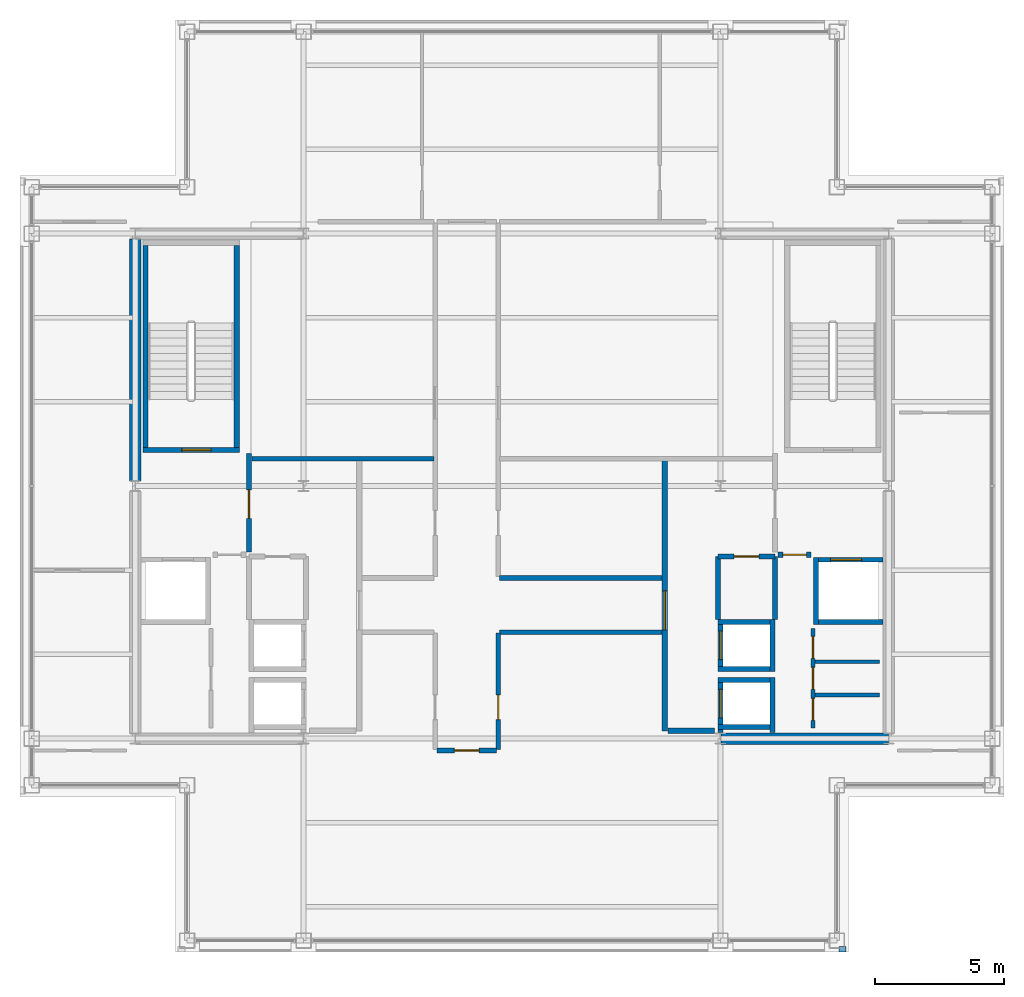
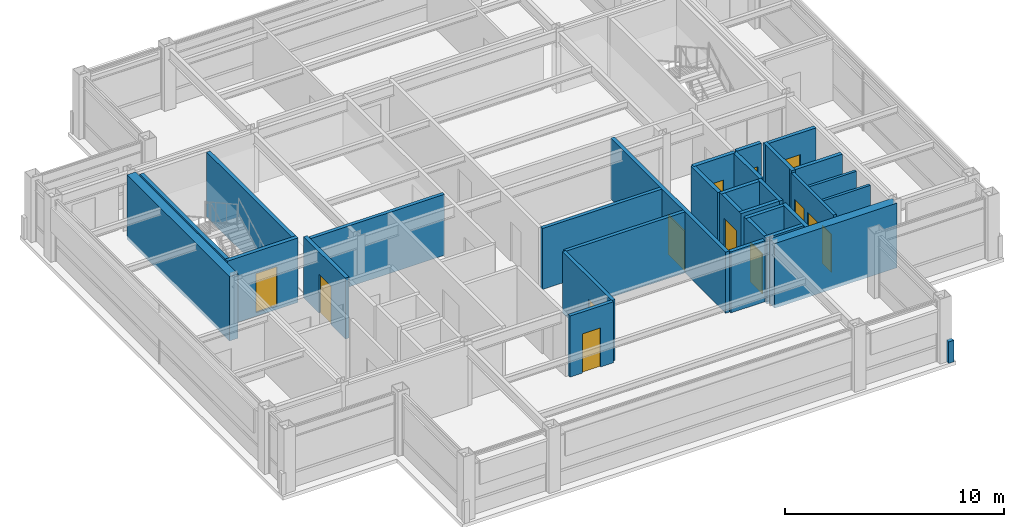
# One storey, part 19 of 22: 32 walls, 13 doors, 13 openings.
"""IFC4 building model written with IfcOpenShell, lengths in metres."""

from ifc_helpers import new_model, si_unit, direction, frame, frame_2d, origin, place, context, subcontext, project, spatial, rectangle, extrude, material, layer, layer_set, type_object, element, fill, save


model = new_model("IFC4")

# Units and contexts
model_context = context("Model", 3, precision=1e-05, world=origin(), true_north=direction((0.0, 1.0)))
body_context = subcontext(model_context, "Body", "Model", "MODEL_VIEW")
ifc_project = project(units=[si_unit("LENGTHUNIT", "METRE"), si_unit("AREAUNIT", "SQUARE_METRE"), si_unit("VOLUMEUNIT", "CUBIC_METRE"), si_unit("PLANEANGLEUNIT", "RADIAN"), si_unit("MASSUNIT", "GRAM", prefix="KILO")], contexts=[model_context])

# Site, building, storey
site_placement = place(None, origin())
site = spatial("IfcSite", under=ifc_project, at=site_placement, CompositionType="ELEMENT")
building_placement = place(site_placement, origin())
building = spatial("IfcBuilding", under=site, at=building_placement, Name="Brelmoor Portico Tower", CompositionType="ELEMENT")
storey_placement = place(building_placement, frame((0.0, 0.0, 280.800048828125)))
storey = spatial("IfcBuildingStorey", under=building, at=storey_placement, Name="L74", CompositionType="ELEMENT", Elevation=280.800048828125)

# Walls
ifc_material_1 = material(Name="Concrete C50", Category="concrete")
ifc_layer_1 = layer(ifc_material_1, 0.449951171875)
ifc_layer_set_1 = layer_set([ifc_layer_1], Name="Concrete C50")
wall_type_1 = type_object("IfcWallType", Name="WL-CORE-450", PredefinedType="SHEAR", material=ifc_layer_set_1)
wall_1_placement = place(storey_placement, frame((-14.550048828125, 0.199951171875, -0.199951171875), z_axis=(0.0, 0.0, 1.0), x_axis=(0.0, 1.0, 0.0)))
element("IfcWall", 1, at=wall_1_placement, inside=storey, type_object=wall_type_1, Name="L74 WC Outer North Shear Wall", PredefinedType="SHEAR", context=body_context, shape_type="SweptSolid", body=[
    extrude(rectangle(XDim=9.35009765625, YDim=0.449951171875, at=frame_2d((4.675048828125, 0.0))), origin(), (0.0, 0.0, 1.0), 3.599853515625),
])
wall_2_placement = place(storey_placement, frame((8.070068359375, -9.75, -0.199951171875), z_axis=(0.0, 0.0, 1.0), x_axis=(1.0, 0.0, 0.0)))
element("IfcWall", 2, at=wall_2_placement, inside=storey, type_object=wall_type_1, Name="L74 EC South Shear Wall", PredefinedType="SHEAR", context=body_context, shape_type="SweptSolid", body=[
    extrude(rectangle(XDim=6.4599609375, YDim=0.449951171875, at=frame_2d((3.22998046875, 0.0))), origin(), (0.0, 0.0, 1.0), 3.599853515625),
])
ifc_material_2 = material(Name="Concrete C40 Parapet Upstand", Category="concrete")
ifc_layer_2 = layer(ifc_material_2, 0.219970703125)
ifc_layer_set_2 = layer_set([ifc_layer_2], Name="Concrete C40 Parapet Upstand")
wall_type_2 = type_object("IfcWallType", Name="WL-PARAPET-220", PredefinedType="PARAPET", material=ifc_layer_set_2)
wall_3_placement = place(storey_placement, frame((12.6201171875, -17.889892578125, 0.0), z_axis=(0.0, 0.0, 1.0), x_axis=(1.0, 0.0, 0.0)))
element("IfcWall", 3, at=wall_3_placement, inside=storey, type_object=wall_type_2, Name="L74 Chamfer Vertex Parapet Pier SE1", PredefinedType="PARAPET", context=body_context, shape_type="SweptSolid", body=[
    extrude(rectangle(XDim=0.269775390625, YDim=0.219970703125, at=frame_2d((0.134765625, 0.0))), origin(), (0.0, 0.0, 1.0), 1.199951171875),
])
ifc_material_3 = material(Name="Insulated Stud Suite Partition", Category="gypsum")
ifc_layer_3 = layer(ifc_material_3, 0.139892578125)
ifc_layer_set_3 = layer_set([ifc_layer_3], Name="Insulated Stud Suite Partition")
wall_type_3 = type_object("IfcWallType", Name="WL-PART-140", PredefinedType="PARTITIONING", material=ifc_layer_set_3)
for number, where, z_axis, x_axis, name in (
    (4, (11.699951171875, -8.066650390625, 0.0), (0.0, 0.0, 1.0), (1.0, 0.0, 0.0), "L74 E Core WC Divider 1"),
    (5, (11.699951171875, -6.783203125, 0.0), (0.0, 0.0, 1.0), (1.0, 0.0, 0.0), "L74 E Core WC Divider 2"),
):
    element("IfcWall", number, at=place(storey_placement, frame(where, z_axis=z_axis, x_axis=x_axis)), inside=storey, type_object=wall_type_3, Name=name, PredefinedType="PARTITIONING", context=body_context, shape_type="SweptSolid", body=[
        extrude(rectangle(XDim=2.5, YDim=0.139892578125, at=frame_2d((1.25, 0.0))), origin(), (0.0, 0.0, 1.0), 3.39990234375),
    ])

# Wall, openings, doors
ifc_material_4 = material(Name="Twin-Frame Acoustic Partition", Category="gypsum")
ifc_layer_4 = layer(ifc_material_4, 0.159912109375)
ifc_layer_set_4 = layer_set([ifc_layer_4], Name="Twin-Frame Acoustic Partition")
wall_type_4 = type_object("IfcWallType", Name="WL-PART-160", PredefinedType="PARTITIONING", material=ifc_layer_set_4)
wall_4_placement = place(storey_placement, frame((11.6201171875, -9.35009765625, 0.0), z_axis=(0.0, 0.0, 1.0), x_axis=(0.0, 1.0, 0.0)))
wall_4 = element("IfcWall", 6, at=wall_4_placement, inside=storey, type_object=wall_type_4, Name="L74 E Core Service Front Wall", PredefinedType="PARTITIONING", context=body_context, shape_type="SweptSolid", body=[
    extrude(rectangle(XDim=3.85009765625, YDim=0.159912109375, at=frame_2d((1.925048828125, 0.0))), origin(), (0.0, 0.0, 1.0), 3.39990234375),
])
opening_1_placement = place(wall_4_placement, frame((0.300048828125, 0.0, 0.0)))
opening_1 = element("IfcOpeningElement", 7, at=opening_1_placement, cuts=wall_4, Name="Opening D-WC1", PredefinedType="OPENING", context=body_context, shape_type="SweptSolid", body=[
    extrude(rectangle(XDim=0.85009765625, YDim=2.1201171875, at=frame_2d((0.425048828125, 1.06005859375))), frame((0.0, 0.08984375, 0.0), z_axis=(0.0, -1.0, 0.0), x_axis=(1.0, 0.0, 0.0)), (0.0, 0.0, 1.0), 0.179931640625),
])
opening_2_placement = place(wall_4_placement, frame((1.5, 0.0, 0.0)))
opening_2 = element("IfcOpeningElement", 8, at=opening_2_placement, cuts=wall_4, Name="Opening D-WC1", PredefinedType="OPENING", context=body_context, shape_type="SweptSolid", body=[
    extrude(rectangle(XDim=0.85009765625, YDim=2.1201171875, at=frame_2d((0.425048828125, 1.06005859375))), frame((0.0, 0.08984375, 0.0), z_axis=(0.0, -1.0, 0.0), x_axis=(1.0, 0.0, 0.0)), (0.0, 0.0, 1.0), 0.179931640625),
])
opening_3_placement = place(wall_4_placement, frame((2.699951171875, 0.0, 0.0)))
opening_3 = element("IfcOpeningElement", 9, at=opening_3_placement, cuts=wall_4, Name="Opening D-WC1", PredefinedType="OPENING", context=body_context, shape_type="SweptSolid", body=[
    extrude(rectangle(XDim=0.85009765625, YDim=2.1201171875, at=frame_2d((0.425048828125, 1.06005859375))), frame((0.0, 0.08984375, 0.0), z_axis=(0.0, -1.0, 0.0), x_axis=(1.0, 0.0, 0.0)), (0.0, 0.0, 1.0), 0.179931640625),
])
ifc_material_5 = material(Name="Moisture-Resistant Laminate WC Door", Category="timber")
door_type_1 = type_object("IfcDoorType", Name="DR-WC-850", OperationType="NOTDEFINED", PredefinedType="DOOR", material=ifc_material_5)
door_1_placement = place(opening_1_placement, origin())
door_1 = element("IfcDoor", 10, at=door_1_placement, inside=storey, type_object=door_type_1, Name="D-3009 L74 E Male WC Door", OperationType="SINGLE_SWING_LEFT", OverallHeight=2.1201171875, OverallWidth=0.85009765625, PredefinedType="DOOR", context=body_context, shape_type="SweptSolid", body=[
    extrude(rectangle(XDim=0.85009765625, YDim=2.1201171875, at=frame_2d((0.425048828125, 1.06005859375))), frame((0.0, 0.02490234375, 0.0), z_axis=(0.0, -1.0, 0.0), x_axis=(1.0, 0.0, 0.0)), (0.0, 0.0, 1.0), 0.050048828125),
])
fill(opening_1, door_1)
door_2_placement = place(opening_2_placement, origin())
door_2 = element("IfcDoor", 11, at=door_2_placement, inside=storey, type_object=door_type_1, Name="D-3010 L74 E Female WC Door", OperationType="SINGLE_SWING_RIGHT", OverallHeight=2.1201171875, OverallWidth=0.85009765625, PredefinedType="DOOR", context=body_context, shape_type="SweptSolid", body=[
    extrude(rectangle(XDim=0.85009765625, YDim=2.1201171875, at=frame_2d((0.425048828125, 1.06005859375))), frame((0.0, 0.02490234375, 0.0), z_axis=(0.0, -1.0, 0.0), x_axis=(1.0, 0.0, 0.0)), (0.0, 0.0, 1.0), 0.050048828125),
])
fill(opening_2, door_2)
door_3_placement = place(opening_3_placement, origin())
door_3 = element("IfcDoor", 12, at=door_3_placement, inside=storey, type_object=door_type_1, Name="D-3011 L74 E Janitor Store Door", OperationType="SINGLE_SWING_LEFT", OverallHeight=2.1201171875, OverallWidth=0.85009765625, PredefinedType="DOOR", context=body_context, shape_type="SweptSolid", body=[
    extrude(rectangle(XDim=0.85009765625, YDim=2.1201171875, at=frame_2d((0.425048828125, 1.06005859375))), frame((0.0, 0.02490234375, 0.0), z_axis=(0.0, -1.0, 0.0), x_axis=(1.0, 0.0, 0.0)), (0.0, 0.0, 1.0), 0.050048828125),
])
fill(opening_3, door_3)

# Walls
ifc_material_6 = material(Name="Acoustic Corridor Fire Partition", Category="gypsum")
ifc_layer_5 = layer(ifc_material_6, 0.179931640625)
ifc_layer_set_5 = layer_set([ifc_layer_5], Name="Acoustic Corridor Fire Partition")
wall_type_5 = type_object("IfcWallType", Name="WL-PART-180", PredefinedType="PARTITIONING", material=ifc_layer_set_5)
wall_5_placement = place(storey_placement, frame((-10.050048828125, 1.050048828125, 0.0), z_axis=(0.0, 0.0, 1.0), x_axis=(1.0, 0.0, 0.0)))
element("IfcWall", 13, at=wall_5_placement, inside=storey, type_object=wall_type_5, Name="L74 West Reclaimed Suite South Wall", PredefinedType="PARTITIONING", context=body_context, shape_type="SweptSolid", body=[
    extrude(rectangle(XDim=7.0400390625, YDim=0.179931640625, at=frame_2d((3.52001953125, 0.0))), origin(), (0.0, 0.0, 1.0), 3.39990234375),
])
wall_6_placement = place(storey_placement, frame((-0.489990234375, -3.550048828125, 0.0), z_axis=(0.0, 0.0, 1.0), x_axis=(1.0, 0.0, 0.0)))
element("IfcWall", 14, at=wall_6_placement, inside=storey, type_object=wall_type_5, Name="L74 East Office South Wall", PredefinedType="PARTITIONING", context=body_context, shape_type="SweptSolid", body=[
    extrude(rectangle(XDim=6.2900390625, YDim=0.179931640625, at=frame_2d((3.14501953125, 0.0))), origin(), (0.0, 0.0, 1.0), 3.39990234375),
])

# Wall, opening, door
wall_7_placement = place(storey_placement, frame((-0.530029296875, -10.169921875, 0.0), z_axis=(0.0, 0.0, 1.0), x_axis=(0.0, 1.0, 0.0)))
wall_7 = element("IfcWall", 15, at=wall_7_placement, inside=storey, type_object=wall_type_5, Name="L74 South Cross East Wall", PredefinedType="PARTITIONING", context=body_context, shape_type="SweptSolid", body=[
    extrude(rectangle(XDim=4.489990234375, YDim=0.179931640625, at=frame_2d((2.2451171875, 0.0))), origin(), (0.0, 0.0, 1.0), 3.39990234375),
])
opening_4_placement = place(wall_7_placement, frame((1.14990234375, 0.0, 0.0)))
opening_4 = element("IfcOpeningElement", 16, at=opening_4_placement, cuts=wall_7, Name="Opening D-IN2", PredefinedType="OPENING", context=body_context, shape_type="SweptSolid", body=[
    extrude(rectangle(XDim=0.9599609375, YDim=2.179931640625, at=frame_2d((0.47998046875, 1.08984375))), frame((0.0, 0.099853515625, 0.0), z_axis=(0.0, -1.0, 0.0), x_axis=(1.0, 0.0, 0.0)), (0.0, 0.0, 1.0), 0.199951171875),
])
ifc_material_7 = material(Name="Lacquered Timber Suite Door", Category="wood")
door_type_2 = type_object("IfcDoorType", Name="DR-INT-950", OperationType="NOTDEFINED", PredefinedType="DOOR", material=ifc_material_7)
door_4_placement = place(opening_4_placement, origin())
door_4 = element("IfcDoor", 17, at=door_4_placement, inside=storey, type_object=door_type_2, Name="D-3005 L74 South-East Partner Office Door", OperationType="SINGLE_SWING_LEFT", OverallHeight=2.179931640625, OverallWidth=0.9599609375, PredefinedType="DOOR", context=body_context, shape_type="SweptSolid", body=[
    extrude(rectangle(XDim=0.9599609375, YDim=2.179931640625, at=frame_2d((0.47998046875, 1.08984375))), frame((0.0, 0.02490234375, 0.0), z_axis=(0.0, -1.0, 0.0), x_axis=(1.0, 0.0, 0.0)), (0.0, 0.0, 1.0), 0.050048828125),
])
fill(opening_4, door_4)

# Wall
wall_8_placement = place(storey_placement, frame((-0.489990234375, -5.64990234375, 0.0), z_axis=(0.0, 0.0, 1.0), x_axis=(1.0, 0.0, 0.0)))
element("IfcWall", 18, at=wall_8_placement, inside=storey, type_object=wall_type_5, Name="L74 South-East Chamber Top Wall", PredefinedType="PARTITIONING", context=body_context, shape_type="SweptSolid", body=[
    extrude(rectangle(XDim=6.2900390625, YDim=0.179931640625, at=frame_2d((3.14501953125, 0.0))), origin(), (0.0, 0.0, 1.0), 3.39990234375),
])

# Wall, opening, door
wall_9_placement = place(storey_placement, frame((-2.89990234375, -10.2099609375, 0.0), z_axis=(0.0, 0.0, 1.0), x_axis=(1.0, 0.0, 0.0)))
wall_9 = element("IfcWall", 19, at=wall_9_placement, inside=storey, type_object=wall_type_5, Name="L74 South Corridor Partition", PredefinedType="PARTITIONING", context=body_context, shape_type="SweptSolid", body=[
    extrude(rectangle(XDim=2.2998046875, YDim=0.179931640625, at=frame_2d((1.14990234375, 0.0))), origin(), (0.0, 0.0, 1.0), 3.39990234375),
])
opening_5_placement = place(wall_9_placement, frame((0.669921875, 0.0, 0.0)))
opening_5 = element("IfcOpeningElement", 20, at=opening_5_placement, cuts=wall_9, Name="Opening D-IN2", PredefinedType="OPENING", context=body_context, shape_type="SweptSolid", body=[
    extrude(rectangle(XDim=0.9599609375, YDim=2.179931640625, at=frame_2d((0.47998046875, 1.08984375))), frame((0.0, 0.099853515625, 0.0), z_axis=(0.0, -1.0, 0.0), x_axis=(1.0, 0.0, 0.0)), (0.0, 0.0, 1.0), 0.199951171875),
])
door_5_placement = place(opening_5_placement, origin())
door_5 = element("IfcDoor", 21, at=door_5_placement, inside=storey, type_object=door_type_2, Name="D-3026 L74 South Executive Archive Store 1 Door", OperationType="SINGLE_SWING_RIGHT", OverallHeight=2.179931640625, OverallWidth=0.9599609375, PredefinedType="DOOR", context=body_context, shape_type="SweptSolid", body=[
    extrude(rectangle(XDim=0.9599609375, YDim=2.179931640625, at=frame_2d((0.47998046875, 1.08984375))), frame((0.0, 0.02490234375, 0.0), z_axis=(0.0, -1.0, 0.0), x_axis=(1.0, 0.0, 0.0)), (0.0, 0.0, 1.0), 0.050048828125),
])
fill(opening_5, door_5)

ifc_material_8 = material(Name="Double-Stud Gypsum Fire Partition", Category="gypsum")
ifc_layer_6 = layer(ifc_material_8, 0.199951171875)
ifc_layer_set_6 = layer_set([ifc_layer_6], Name="Double-Stud Gypsum Fire Partition")
wall_type_6 = type_object("IfcWallType", Name="WL-PART-200", PredefinedType="PARTITIONING", material=ifc_layer_set_6)
wall_10_placement = place(storey_placement, frame((-10.159912109375, -2.550048828125, 0.0), z_axis=(0.0, 0.0, 1.0), x_axis=(0.0, 1.0, 0.0)))
wall_10 = element("IfcWall", 22, at=wall_10_placement, inside=storey, type_object=wall_type_6, Name="L74 W Firefighting Lobby Wall", PredefinedType="PARTITIONING", context=body_context, shape_type="SweptSolid", body=[
    extrude(rectangle(XDim=3.800048828125, YDim=0.199951171875, at=frame_2d((1.89990234375, 0.0))), origin(), (0.0, 0.0, 1.0), 3.39990234375),
])
opening_6_placement = place(wall_10_placement, frame((1.300048828125, 0.0, 0.0)))
opening_6 = element("IfcOpeningElement", 23, at=opening_6_placement, cuts=wall_10, Name="Opening D-FR1", PredefinedType="OPENING", context=body_context, shape_type="SweptSolid", body=[
    extrude(rectangle(XDim=1.10009765625, YDim=2.14990234375, at=frame_2d((0.550048828125, 1.074951171875))), frame((0.0, 0.10986328125, 0.0), z_axis=(0.0, -1.0, 0.0), x_axis=(1.0, 0.0, 0.0)), (0.0, 0.0, 1.0), 0.219970703125),
])
ifc_material_9 = material(Name="Painted Galvanised Steel Fire Door", Category="steel")
door_type_3 = type_object("IfcDoorType", Name="DR-FIRE-1100", OperationType="NOTDEFINED", PredefinedType="DOOR", material=ifc_material_9)
door_6_placement = place(opening_6_placement, origin())
door_6 = element("IfcDoor", 24, at=door_6_placement, inside=storey, type_object=door_type_3, Name="D-3018 L74 W Firefighting Lobby Door", OperationType="SINGLE_SWING_RIGHT", OverallHeight=2.14990234375, OverallWidth=1.10009765625, PredefinedType="DOOR", context=body_context, shape_type="SweptSolid", body=[
    extrude(rectangle(XDim=1.10009765625, YDim=2.14990234375, at=frame_2d((0.550048828125, 1.074951171875))), frame((0.0, 0.02490234375, 0.0), z_axis=(0.0, -1.0, 0.0), x_axis=(1.0, 0.0, 0.0)), (0.0, 0.0, 1.0), 0.050048828125),
])
fill(opening_6, door_6)

wall_11_placement = place(storey_placement, frame((5.89990234375, -9.449951171875, 0.0), z_axis=(0.0, 0.0, 1.0), x_axis=(0.0, 1.0, 0.0)))
wall_11 = element("IfcWall", 25, at=wall_11_placement, inside=storey, type_object=wall_type_6, Name="L74 E Core Lobby Compartment Wall", PredefinedType="PARTITIONING", context=body_context, shape_type="SweptSolid", body=[
    extrude(rectangle(XDim=10.5, YDim=0.199951171875, at=frame_2d((5.25, 0.0))), origin(), (0.0, 0.0, 1.0), 3.39990234375),
])
opening_7_placement = place(wall_11_placement, frame((3.89990234375, 0.0, 0.0)))
opening_7 = element("IfcOpeningElement", 26, at=opening_7_placement, cuts=wall_11, Name="Opening D-LB1", PredefinedType="OPENING", context=body_context, shape_type="SweptSolid", body=[
    extrude(rectangle(XDim=1.5, YDim=2.199951171875, at=frame_2d((0.75, 1.10009765625))), frame((0.0, 0.10986328125, 0.0), z_axis=(0.0, -1.0, 0.0), x_axis=(1.0, 0.0, 0.0)), (0.0, 0.0, 1.0), 0.219970703125),
])
ifc_material_10 = material(Name="Double-Leaf Glazed Steel Fire Door", Category="steel")
door_type_4 = type_object("IfcDoorType", Name="DR-LOBBY-1500", OperationType="NOTDEFINED", PredefinedType="DOOR", material=ifc_material_10)
door_7_placement = place(opening_7_placement, origin())
door_7 = element("IfcDoor", 27, at=door_7_placement, inside=storey, type_object=door_type_4, Name="D-3019 L74 E Lift Lobby Main Door", OperationType="DOUBLE_DOOR_SINGLE_SWING", OverallHeight=2.199951171875, OverallWidth=1.5, PredefinedType="DOOR", context=body_context, shape_type="SweptSolid", body=[
    extrude(rectangle(XDim=1.5, YDim=2.199951171875, at=frame_2d((0.75, 1.10009765625))), frame((0.0, 0.02490234375, 0.0), z_axis=(0.0, -1.0, 0.0), x_axis=(1.0, 0.0, 0.0)), (0.0, 0.0, 1.0), 0.050048828125),
])
fill(opening_7, door_7)

# Wall
wall_12_placement = place(storey_placement, frame((6.02001953125, -9.449951171875, 0.0), z_axis=(0.0, 0.0, 1.0), x_axis=(1.0, 0.0, 0.0)))
element("IfcWall", 28, at=wall_12_placement, inside=storey, type_object=wall_type_6, Name="L74 E Lift Lobby South End Wall", PredefinedType="PARTITIONING", context=body_context, shape_type="SweptSolid", body=[
    extrude(rectangle(XDim=1.800048828125, YDim=0.199951171875, at=frame_2d((0.89990234375, 0.0))), origin(), (0.0, 0.0, 1.0), 3.39990234375),
])

# Wall, opening, door
wall_13_placement = place(storey_placement, frame((10.280029296875, -2.64990234375, 0.0), z_axis=(0.0, 0.0, 1.0), x_axis=(1.0, 0.0, 0.0)))
wall_13 = element("IfcWall", 29, at=wall_13_placement, inside=storey, type_object=wall_type_6, Name="L74 E Firefighting Lobby South Wall", PredefinedType="PARTITIONING", context=body_context, shape_type="SweptSolid", body=[
    extrude(rectangle(XDim=1.27001953125, YDim=0.199951171875, at=frame_2d((0.635009765625, 0.0))), origin(), (0.0, 0.0, 1.0), 3.39990234375),
])
opening_8_placement = place(wall_13_placement, frame((0.18505859375, 0.0, 0.0)))
opening_8 = element("IfcOpeningElement", 30, at=opening_8_placement, cuts=wall_13, Name="Opening D-IN1", PredefinedType="OPENING", context=body_context, shape_type="SweptSolid", body=[
    extrude(rectangle(XDim=0.89990234375, YDim=2.14990234375, at=frame_2d((0.449951171875, 1.074951171875))), frame((0.0, 0.10986328125, 0.0), z_axis=(0.0, -1.0, 0.0), x_axis=(1.0, 0.0, 0.0)), (0.0, 0.0, 1.0), 0.219970703125),
])
door_type_5 = type_object("IfcDoorType", Name="DR-INT-900", OperationType="NOTDEFINED", PredefinedType="DOOR", material=ifc_material_7)
door_8_placement = place(opening_8_placement, origin())
door_8 = element("IfcDoor", 31, at=door_8_placement, inside=storey, type_object=door_type_5, Name="D-3012 L74 E Core Service Vestibule Door", OperationType="SINGLE_SWING_LEFT", OverallHeight=2.14990234375, OverallWidth=0.89990234375, PredefinedType="DOOR", context=body_context, shape_type="SweptSolid", body=[
    extrude(rectangle(XDim=0.89990234375, YDim=2.14990234375, at=frame_2d((0.449951171875, 1.074951171875))), frame((0.0, 0.02490234375, 0.0), z_axis=(0.0, -1.0, 0.0), x_axis=(1.0, 0.0, 0.0)), (0.0, 0.0, 1.0), 0.050048828125),
])
fill(opening_8, door_8)

wall_14_placement = place(storey_placement, frame((7.9599609375, -2.719970703125, 0.0), z_axis=(0.0, 0.0, 1.0), x_axis=(1.0, 0.0, 0.0)))
wall_14 = element("IfcWall", 32, at=wall_14_placement, inside=storey, type_object=wall_type_6, Name="L74 E Electrical Switchgear Closet Wall", PredefinedType="PARTITIONING", context=body_context, shape_type="SweptSolid", body=[
    extrude(rectangle(XDim=2.199951171875, YDim=0.199951171875, at=frame_2d((1.10009765625, 0.0))), origin(), (0.0, 0.0, 1.0), 3.39990234375),
])
opening_9_placement = place(wall_14_placement, frame((0.6201171875, 0.0, 0.0)))
opening_9 = element("IfcOpeningElement", 33, at=opening_9_placement, cuts=wall_14, Name="Opening D-FR4", PredefinedType="OPENING", context=body_context, shape_type="SweptSolid", body=[
    extrude(rectangle(XDim=0.949951171875, YDim=2.10009765625, at=frame_2d((0.47509765625, 1.050048828125))), frame((0.0, 0.10986328125, 0.0), z_axis=(0.0, -1.0, 0.0), x_axis=(1.0, 0.0, 0.0)), (0.0, 0.0, 1.0), 0.219970703125),
])
ifc_material_11 = material(Name="Painted Galvanised Steel Riser Door", Category="steel")
door_type_6 = type_object("IfcDoorType", Name="DR-FIRE-950", OperationType="NOTDEFINED", PredefinedType="DOOR", material=ifc_material_11)
door_9_placement = place(opening_9_placement, origin())
door_9 = element("IfcDoor", 34, at=door_9_placement, inside=storey, type_object=door_type_6, Name="D-3015 L74 E Electrical Switchgear Closet Door", OperationType="SINGLE_SWING_RIGHT", OverallHeight=2.10009765625, OverallWidth=0.949951171875, PredefinedType="DOOR", context=body_context, shape_type="SweptSolid", body=[
    extrude(rectangle(XDim=0.949951171875, YDim=2.10009765625, at=frame_2d((0.47509765625, 1.050048828125))), frame((0.0, 0.02490234375, 0.0), z_axis=(0.0, -1.0, 0.0), x_axis=(1.0, 0.0, 0.0)), (0.0, 0.0, 1.0), 0.050048828125),
])
fill(opening_9, door_9)

# Walls
for number, where, z_axis, x_axis, name in (
    (35, (7.9599609375, -5.159912109375, 0.0), (0.0, 0.0, 1.0), (0.0, 1.0, 0.0), "L74 E Electrical Switchgear Closet Inner Wall"),
    (36, (10.159912109375, -5.159912109375, 0.0), (0.0, 0.0, 1.0), (0.0, 1.0, 0.0), "L74 E Electrical Switchgear Closet Outer Wall"),
):
    element("IfcWall", number, at=place(storey_placement, frame(where, z_axis=z_axis, x_axis=x_axis)), inside=storey, type_object=wall_type_6, Name=name, PredefinedType="PARTITIONING", context=body_context, shape_type="SweptSolid", body=[
        extrude(rectangle(XDim=2.43994140625, YDim=0.199951171875, at=frame_2d((1.219970703125, 0.0))), origin(), (0.0, 0.0, 1.0), 3.39990234375),
    ])

# Wall, opening, door
ifc_material_12 = material(Name="Precast Concrete C40", Category="concrete")
ifc_layer_7 = layer(ifc_material_12, 0.18994140625)
ifc_layer_set_7 = layer_set([ifc_layer_7], Name="Precast Concrete C40")
wall_type_7 = type_object("IfcWallType", Name="WL-SHAFT-180", PredefinedType="SOLIDWALL", material=ifc_layer_set_7)
wall_15_placement = place(storey_placement, frame((8.044921875, -9.52001953125, -0.199951171875), z_axis=(0.0, 0.0, 1.0), x_axis=(0.0, 1.0, 0.0)))
wall_15 = element("IfcWall", 37, at=wall_15_placement, inside=storey, type_object=wall_type_7, Name="L74 Lift PH3 Hoistway Front Wall", PredefinedType="SOLIDWALL", context=body_context, shape_type="SweptSolid", body=[
    extrude(rectangle(XDim=2.1201171875, YDim=0.18994140625, at=frame_2d((1.06005859375, 0.0))), origin(), (0.0, 0.0, 1.0), 3.599853515625),
])
opening_10_placement = place(wall_15_placement, frame((0.570068359375, 0.0, 0.199951171875)))
opening_10 = element("IfcOpeningElement", 38, at=opening_10_placement, cuts=wall_15, Name="Opening LD-01", PredefinedType="OPENING", context=body_context, shape_type="SweptSolid", body=[
    extrude(rectangle(XDim=1.10009765625, YDim=2.199951171875, at=frame_2d((0.550048828125, 1.10009765625))), frame((0.0, 0.10498046875, 0.0), z_axis=(0.0, -1.0, 0.0), x_axis=(1.0, 0.0, 0.0)), (0.0, 0.0, 1.0), 0.2099609375),
])
ifc_material_13 = material(Name="Brushed Stainless Steel Sliding Lift Door", Category="steel")
door_type_7 = type_object("IfcDoorType", Name="DR-LIFT-1100", OperationType="NOTDEFINED", PredefinedType="DOOR", material=ifc_material_13)
door_10_placement = place(opening_10_placement, origin())
door_10 = element("IfcDoor", 39, at=door_10_placement, inside=storey, type_object=door_type_7, Name="D-3037 L74 Lift PH3 Sliding Landing Door", OperationType="SLIDING_TO_LEFT", OverallHeight=2.199951171875, OverallWidth=1.10009765625, PredefinedType="DOOR", context=body_context, shape_type="SweptSolid", body=[
    extrude(rectangle(XDim=1.10009765625, YDim=2.199951171875, at=frame_2d((0.550048828125, 1.10009765625))), frame((0.0, 0.02490234375, 0.0), z_axis=(0.0, -1.0, 0.0), x_axis=(1.0, 0.0, 0.0)), (0.0, 0.0, 1.0), 0.050048828125),
])
fill(opening_10, door_10)

# Walls
wall_16_placement = place(storey_placement, frame((10.054931640625, -9.52001953125, -0.199951171875), z_axis=(0.0, 0.0, 1.0), x_axis=(0.0, 1.0, 0.0)))
element("IfcWall", 40, at=wall_16_placement, inside=storey, type_object=wall_type_7, Name="L74 Lift PH3 Hoistway Back Wall", PredefinedType="SOLIDWALL", context=body_context, shape_type="SweptSolid", body=[
    extrude(rectangle(XDim=2.1201171875, YDim=0.18994140625, at=frame_2d((1.06005859375, 0.0))), origin(), (0.0, 0.0, 1.0), 3.599853515625),
])
for number, where, z_axis, x_axis, name in (
    (41, (7.949951171875, -7.4951171875, -0.199951171875), (0.0, 0.0, 1.0), (1.0, 0.0, 0.0), "L74 Lift PH3 Hoistway North Wall"),
    (42, (7.949951171875, -9.304931640625, -0.199951171875), (0.0, 0.0, 1.0), (1.0, 0.0, 0.0), "L74 Lift PH3 Hoistway South Wall"),
):
    element("IfcWall", number, at=place(storey_placement, frame(where, z_axis=z_axis, x_axis=x_axis)), inside=storey, type_object=wall_type_7, Name=name, PredefinedType="SOLIDWALL", context=body_context, shape_type="SweptSolid", body=[
        extrude(rectangle(XDim=2.199951171875, YDim=0.18994140625, at=frame_2d((1.10009765625, 0.0))), origin(), (0.0, 0.0, 1.0), 3.599853515625),
    ])

# Wall, opening, door
wall_17_placement = place(storey_placement, frame((8.044921875, -7.14990234375, -0.199951171875), z_axis=(0.0, 0.0, 1.0), x_axis=(0.0, 1.0, 0.0)))
wall_17 = element("IfcWall", 43, at=wall_17_placement, inside=storey, type_object=wall_type_7, Name="L74 Lift PH4 Hoistway Front Wall", PredefinedType="SOLIDWALL", context=body_context, shape_type="SweptSolid", body=[
    extrude(rectangle(XDim=2.0, YDim=0.18994140625, at=frame_2d((1.0, 0.0))), origin(), (0.0, 0.0, 1.0), 3.599853515625),
])
opening_11_placement = place(wall_17_placement, frame((0.449951171875, 0.0, 0.199951171875)))
opening_11 = element("IfcOpeningElement", 44, at=opening_11_placement, cuts=wall_17, Name="Opening LD-01", PredefinedType="OPENING", context=body_context, shape_type="SweptSolid", body=[
    extrude(rectangle(XDim=1.10009765625, YDim=2.199951171875, at=frame_2d((0.550048828125, 1.10009765625))), frame((0.0, 0.10498046875, 0.0), z_axis=(0.0, -1.0, 0.0), x_axis=(1.0, 0.0, 0.0)), (0.0, 0.0, 1.0), 0.2099609375),
])
door_11_placement = place(opening_11_placement, origin())
door_11 = element("IfcDoor", 45, at=door_11_placement, inside=storey, type_object=door_type_7, Name="D-3038 L74 Lift PH4 Sliding Landing Door", OperationType="SLIDING_TO_LEFT", OverallHeight=2.199951171875, OverallWidth=1.10009765625, PredefinedType="DOOR", context=body_context, shape_type="SweptSolid", body=[
    extrude(rectangle(XDim=1.10009765625, YDim=2.199951171875, at=frame_2d((0.550048828125, 1.10009765625))), frame((0.0, 0.02490234375, 0.0), z_axis=(0.0, -1.0, 0.0), x_axis=(1.0, 0.0, 0.0)), (0.0, 0.0, 1.0), 0.050048828125),
])
fill(opening_11, door_11)

# Walls
wall_18_placement = place(storey_placement, frame((10.054931640625, -7.14990234375, -0.199951171875), z_axis=(0.0, 0.0, 1.0), x_axis=(0.0, 1.0, 0.0)))
element("IfcWall", 46, at=wall_18_placement, inside=storey, type_object=wall_type_7, Name="L74 Lift PH4 Hoistway Back Wall", PredefinedType="SOLIDWALL", context=body_context, shape_type="SweptSolid", body=[
    extrude(rectangle(XDim=2.0, YDim=0.18994140625, at=frame_2d((1.0, 0.0))), origin(), (0.0, 0.0, 1.0), 3.599853515625),
])
for number, where, z_axis, x_axis, name in (
    (47, (7.949951171875, -5.2451171875, -0.199951171875), (0.0, 0.0, 1.0), (1.0, 0.0, 0.0), "L74 Lift PH4 Hoistway North Wall"),
    (48, (7.949951171875, -7.054931640625, -0.199951171875), (0.0, 0.0, 1.0), (1.0, 0.0, 0.0), "L74 Lift PH4 Hoistway South Wall"),
):
    element("IfcWall", number, at=place(storey_placement, frame(where, z_axis=z_axis, x_axis=x_axis)), inside=storey, type_object=wall_type_7, Name=name, PredefinedType="SOLIDWALL", context=body_context, shape_type="SweptSolid", body=[
        extrude(rectangle(XDim=2.199951171875, YDim=0.18994140625, at=frame_2d((1.10009765625, 0.0))), origin(), (0.0, 0.0, 1.0), 3.599853515625),
    ])

# Wall, opening, door
wall_19_placement = place(storey_placement, frame((11.64990234375, -2.844970703125, -0.199951171875), z_axis=(0.0, 0.0, 1.0), x_axis=(1.0, 0.0, 0.0)))
wall_19 = element("IfcWall", 49, at=wall_19_placement, inside=storey, type_object=wall_type_7, Name="L74 Lift FF2 Hoistway Front Wall", PredefinedType="SOLIDWALL", context=body_context, shape_type="SweptSolid", body=[
    extrude(rectangle(XDim=2.68017578125, YDim=0.18994140625, at=frame_2d((1.340087890625, 0.0))), origin(), (0.0, 0.0, 1.0), 3.599853515625),
])
opening_12_placement = place(wall_19_placement, frame((0.64990234375, 0.0, 0.199951171875)))
opening_12 = element("IfcOpeningElement", 50, at=opening_12_placement, cuts=wall_19, Name="Opening LD-02", PredefinedType="OPENING", context=body_context, shape_type="SweptSolid", body=[
    extrude(rectangle(XDim=1.199951171875, YDim=2.199951171875, at=frame_2d((0.60009765625, 1.10009765625))), frame((0.0, 0.10498046875, 0.0), z_axis=(0.0, -1.0, 0.0), x_axis=(1.0, 0.0, 0.0)), (0.0, 0.0, 1.0), 0.2099609375),
])
ifc_material_14 = material(Name="Brushed Stainless Steel Firefighting Lift Door", Category="steel")
door_type_8 = type_object("IfcDoorType", Name="DR-LIFT-1200", OperationType="NOTDEFINED", PredefinedType="DOOR", material=ifc_material_14)
door_12_placement = place(opening_12_placement, origin())
door_12 = element("IfcDoor", 51, at=door_12_placement, inside=storey, type_object=door_type_8, Name="D-3034 L74 Lift FF2 Sliding Landing Door", OperationType="SLIDING_TO_LEFT", OverallHeight=2.199951171875, OverallWidth=1.199951171875, PredefinedType="DOOR", context=body_context, shape_type="SweptSolid", body=[
    extrude(rectangle(XDim=1.199951171875, YDim=2.199951171875, at=frame_2d((0.60009765625, 1.10009765625))), frame((0.0, 0.02490234375, 0.0), z_axis=(0.0, -1.0, 0.0), x_axis=(1.0, 0.0, 0.0)), (0.0, 0.0, 1.0), 0.050048828125),
])
fill(opening_12, door_12)

# Walls
wall_20_placement = place(storey_placement, frame((11.64990234375, -5.2548828125, -0.199951171875), z_axis=(0.0, 0.0, 1.0), x_axis=(1.0, 0.0, 0.0)))
element("IfcWall", 52, at=wall_20_placement, inside=storey, type_object=wall_type_7, Name="L74 Firefighting Lift FF2 South Wall", PredefinedType="SOLIDWALL", context=body_context, shape_type="SweptSolid", body=[
    extrude(rectangle(XDim=2.68017578125, YDim=0.18994140625, at=frame_2d((1.340087890625, 0.0))), origin(), (0.0, 0.0, 1.0), 3.599853515625),
])
wall_21_placement = place(storey_placement, frame((11.7451171875, -5.35009765625, -0.199951171875), z_axis=(0.0, 0.0, 1.0), x_axis=(0.0, 1.0, 0.0)))
element("IfcWall", 53, at=wall_21_placement, inside=storey, type_object=wall_type_7, Name="L74 Firefighting Lift FF2 Inner Wall", PredefinedType="SOLIDWALL", context=body_context, shape_type="SweptSolid", body=[
    extrude(rectangle(XDim=2.60009765625, YDim=0.18994140625, at=frame_2d((1.300048828125, 0.0))), origin(), (0.0, 0.0, 1.0), 3.599853515625),
])
ifc_material_15 = material(Name="Concrete C40", Category="concrete")
ifc_layer_8 = layer(ifc_material_15, 0.199951171875)
ifc_layer_set_8 = layer_set([ifc_layer_8], Name="Concrete C40")
wall_type_8 = type_object("IfcWallType", Name="WL-SHAFT-RC200", PredefinedType="SOLIDWALL", material=ifc_layer_set_8)
wall_22_placement = place(storey_placement, frame((-14.14990234375, 1.5, -0.199951171875), z_axis=(0.0, 0.0, 1.0), x_axis=(0.0, 1.0, 0.0)))
element("IfcWall", 54, at=wall_22_placement, inside=storey, type_object=wall_type_8, Name="L74 ST-W Structural Stair Wall Outer", PredefinedType="SOLIDWALL", context=body_context, shape_type="SweptSolid", body=[
    extrude(rectangle(XDim=7.800048828125, YDim=0.199951171875, at=frame_2d((3.89990234375, 0.0))), origin(), (0.0, 0.0, 1.0), 3.599853515625),
])

# Wall, opening, door
wall_23_placement = place(storey_placement, frame((-14.25, 1.39990234375, -0.199951171875), z_axis=(0.0, 0.0, 1.0), x_axis=(1.0, 0.0, 0.0)))
wall_23 = element("IfcWall", 55, at=wall_23_placement, inside=storey, type_object=wall_type_8, Name="L74 ST-W Structural Stair Wall S", PredefinedType="SOLIDWALL", context=body_context, shape_type="SweptSolid", body=[
    extrude(rectangle(XDim=3.719970703125, YDim=0.199951171875, at=frame_2d((1.85986328125, 0.0))), origin(), (0.0, 0.0, 1.0), 3.599853515625),
])
opening_13_placement = place(wall_23_placement, frame((1.5, 0.0, 0.199951171875)))
opening_13 = element("IfcOpeningElement", 56, at=opening_13_placement, cuts=wall_23, Name="Opening D-ST1", PredefinedType="OPENING", context=body_context, shape_type="SweptSolid", body=[
    extrude(rectangle(XDim=1.1201171875, YDim=2.179931640625, at=frame_2d((0.56005859375, 1.08984375))), frame((0.0, 0.10986328125, 0.0), z_axis=(0.0, -1.0, 0.0), x_axis=(1.0, 0.0, 0.0)), (0.0, 0.0, 1.0), 0.219970703125),
])
door_type_9 = type_object("IfcDoorType", Name="DR-STAIR-1100", OperationType="NOTDEFINED", PredefinedType="DOOR", material=ifc_material_9)
door_13_placement = place(opening_13_placement, origin())
door_13 = element("IfcDoor", 57, at=door_13_placement, inside=storey, type_object=door_type_9, Name="D-3028 L74 ST-W Protected Exit Stair Door", OperationType="SINGLE_SWING_LEFT", OverallHeight=2.179931640625, OverallWidth=1.1201171875, PredefinedType="DOOR", context=body_context, shape_type="SweptSolid", body=[
    extrude(rectangle(XDim=1.1201171875, YDim=2.179931640625, at=frame_2d((0.56005859375, 1.08984375))), frame((0.0, 0.02490234375, 0.0), z_axis=(0.0, -1.0, 0.0), x_axis=(1.0, 0.0, 0.0)), (0.0, 0.0, 1.0), 0.050048828125),
])
fill(opening_13, door_13)

# Wall
wall_24_placement = place(storey_placement, frame((-10.6298828125, 1.5, -0.199951171875), z_axis=(0.0, 0.0, 1.0), x_axis=(0.0, 1.0, 0.0)))
element("IfcWall", 58, at=wall_24_placement, inside=storey, type_object=wall_type_8, Name="L74 ST-W Structural Stair Wall Inner", PredefinedType="SOLIDWALL", context=body_context, shape_type="SweptSolid", body=[
    extrude(rectangle(XDim=7.800048828125, YDim=0.199951171875, at=frame_2d((3.89990234375, 0.0))), origin(), (0.0, 0.0, 1.0), 3.599853515625),
])

save(model, "model.ifc")
